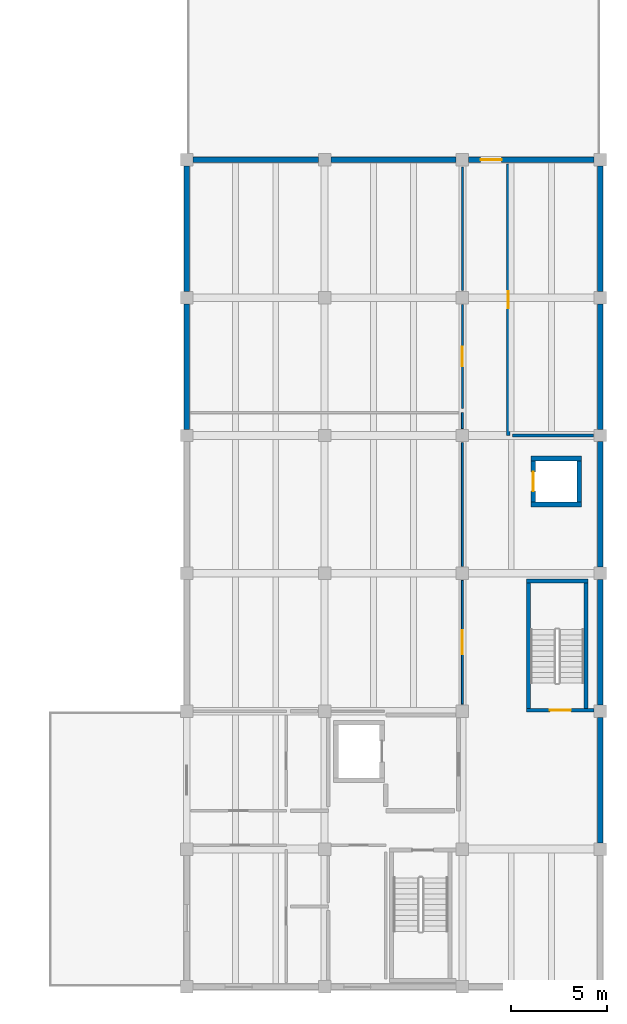
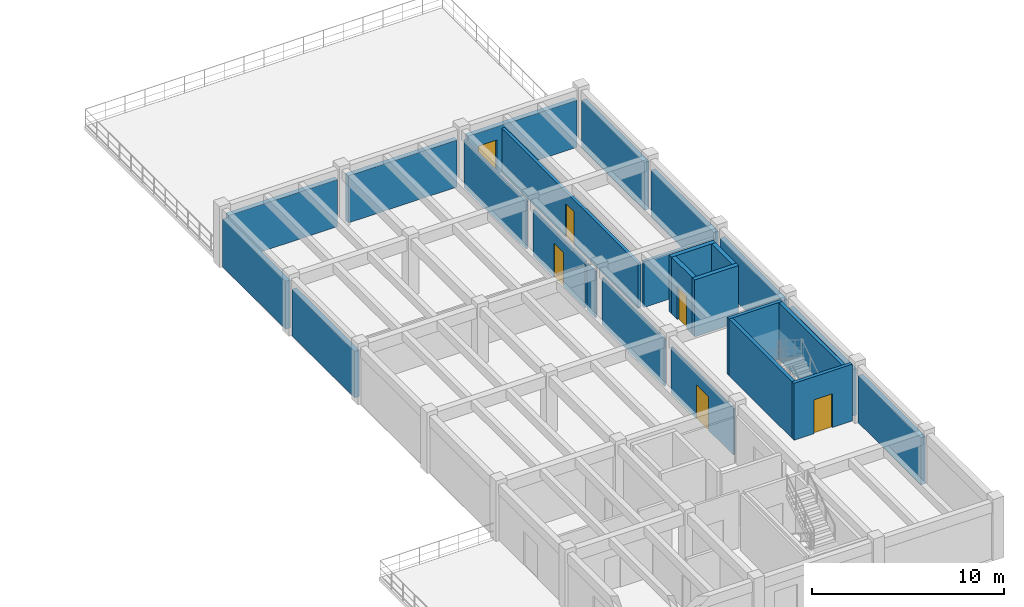
# One storey, part 9 of 13: 25 walls, 6 doors, 6 openings.
"""IFC4 building model written with IfcOpenShell, lengths in metres."""

from ifc_helpers import new_model, si_unit, direction, frame, frame_2d, origin, place, context, subcontext, project, spatial, rectangle, extrude, material, layer, layer_set, type_object, element, fill, save


model = new_model("IFC4")

# Units and contexts
model_context = context("Model", 3, precision=1e-05, world=origin(), true_north=direction((0.0, 1.0)))
body_context = subcontext(model_context, "Body", "Model", "MODEL_VIEW")
ifc_project = project(units=[si_unit("LENGTHUNIT", "METRE"), si_unit("AREAUNIT", "SQUARE_METRE"), si_unit("VOLUMEUNIT", "CUBIC_METRE"), si_unit("PLANEANGLEUNIT", "RADIAN"), si_unit("MASSUNIT", "GRAM", prefix="KILO")], contexts=[model_context])

# Site, building, storey
site_placement = place(None, origin())
site = spatial("IfcSite", under=ifc_project, at=site_placement, CompositionType="ELEMENT")
building_placement = place(site_placement, origin())
building = spatial("IfcBuilding", under=site, at=building_placement, Name="Koriwan Promenade Central Fire Station", CompositionType="ELEMENT")
storey_placement = place(building_placement, frame((0.0, 0.0, 13.5)))
storey = spatial("IfcBuildingStorey", under=building, at=storey_placement, Name="L03", CompositionType="ELEMENT", Elevation=13.5)

# Walls
ifc_material_1 = material(Name="Precast concrete C40/50", Category="concrete")
ifc_layer_1 = layer(ifc_material_1, 0.280029296875, Name="Precast concrete C40/50")
ifc_layer_set_1 = layer_set([ifc_layer_1], Name="Precast concrete C40/50")
wall_type_1 = type_object("IfcWallType", Name="ExtWall_Terracotta_280", PredefinedType="ELEMENTEDWALL", material=ifc_layer_set_1)
wall_1_placement = place(storey_placement, frame((172.800048828125, 7.52490234375, 0.0), z_axis=(0.0, 0.0, 1.0), x_axis=(0.0, 1.0, 0.0)))
element("IfcWall", 1, at=wall_1_placement, inside=storey, type_object=wall_type_1, Name="V5 L03 exterior wall 288", PredefinedType="ELEMENTEDWALL", context=body_context, shape_type="SweptSolid", body=[
    extrude(rectangle(XDim=6.550048828125, YDim=0.280029296875, at=frame_2d((3.27490234375, 0.0))), origin(), (0.0, 0.0, 1.0), 3.010009765625),
])
wall_2_placement = place(storey_placement, frame((172.800048828125, 14.72509765625, 0.0), z_axis=(0.0, 0.0, 1.0), x_axis=(0.0, 1.0, 0.0)))
element("IfcWall", 2, at=wall_2_placement, inside=storey, type_object=wall_type_1, Name="V5 L03 exterior wall 289", PredefinedType="ELEMENTEDWALL", context=body_context, shape_type="SweptSolid", body=[
    extrude(rectangle(XDim=6.5498046875, YDim=0.280029296875, at=frame_2d((3.27490234375, 0.0))), origin(), (0.0, 0.0, 1.0), 2.9599609375),
])
wall_3_placement = place(storey_placement, frame((172.800048828125, 21.925048828125, 0.0), z_axis=(0.0, 0.0, 1.0), x_axis=(0.0, 1.0, 0.0)))
element("IfcWall", 3, at=wall_3_placement, inside=storey, type_object=wall_type_1, Name="V5 L03 exterior wall 290", PredefinedType="ELEMENTEDWALL", context=body_context, shape_type="SweptSolid", body=[
    extrude(rectangle(XDim=6.550048828125, YDim=0.280029296875, at=frame_2d((3.27490234375, 0.0))), origin(), (0.0, 0.0, 1.0), 3.010009765625),
])
wall_4_placement = place(storey_placement, frame((172.800048828125, 29.125, 0.0), z_axis=(0.0, 0.0, 1.0), x_axis=(0.0, 1.0, 0.0)))
element("IfcWall", 4, at=wall_4_placement, inside=storey, type_object=wall_type_1, Name="V5 L03 exterior wall 291", PredefinedType="ELEMENTEDWALL", context=body_context, shape_type="SweptSolid", body=[
    extrude(rectangle(XDim=6.550048828125, YDim=0.280029296875, at=frame_2d((3.27490234375, 0.0))), origin(), (0.0, 0.0, 1.0), 2.9599609375),
])
wall_5_placement = place(storey_placement, frame((172.800048828125, 36.324951171875, 0.0), z_axis=(0.0, 0.0, 1.0), x_axis=(0.0, 1.0, 0.0)))
element("IfcWall", 5, at=wall_5_placement, inside=storey, type_object=wall_type_1, Name="V5 L03 exterior wall 292", PredefinedType="ELEMENTEDWALL", context=body_context, shape_type="SweptSolid", body=[
    extrude(rectangle(XDim=6.550048828125, YDim=0.280029296875, at=frame_2d((3.27490234375, 0.0))), origin(), (0.0, 0.0, 1.0), 3.050048828125),
])

# Wall, opening, door
wall_6_placement = place(storey_placement, frame((172.47509765625, 43.199951171875, 0.0), z_axis=(0.0, 0.0, 1.0), x_axis=(-1.0, 0.0, 0.0)))
wall_6 = element("IfcWall", 6, at=wall_6_placement, inside=storey, type_object=wall_type_1, Name="V5 L03 exterior wall 293", PredefinedType="ELEMENTEDWALL", context=body_context, shape_type="SweptSolid", body=[
    extrude(rectangle(XDim=6.550048828125, YDim=0.280029296875, at=frame_2d((3.27490234375, 0.0))), origin(), (0.0, 0.0, 1.0), 3.0),
])
opening_1_placement = place(wall_6_placement, frame((4.821044921875, 0.0, 0.0)))
opening_1 = element("IfcOpeningElement", 7, at=opening_1_placement, cuts=wall_6, Name="Opening TD-027", PredefinedType="OPENING", context=body_context, shape_type="SweptSolid", body=[
    extrude(rectangle(XDim=1.10009765625, YDim=2.14990234375, at=frame_2d((0.550048828125, 1.074951171875))), frame((0.0, 0.15185546875, 0.0), z_axis=(0.0, -1.0, 0.0), x_axis=(1.0, 0.0, 0.0)), (0.0, 0.0, 1.0), 0.303955078125),
])
ifc_material_2 = material(Name="Aluminium EN AW-6063-T6 and laminated safety glass", Category="aluminium")
door_type_1 = type_object("IfcDoorType", Name="TerraceDoor_1100x2150", OperationType="NOTDEFINED", PredefinedType="DOOR", material=ifc_material_2)
door_1_placement = place(opening_1_placement, frame((1.10009765625, 0.0, 0.0), z_axis=(0.0, 0.0, 1.0), x_axis=(-1.0, 0.0, 0.0)))
door_1 = element("IfcDoor", 8, at=door_1_placement, inside=storey, type_object=door_type_1, Name="V5 L03 Terrace Access Door TD-027", OperationType="SINGLE_SWING_LEFT", OverallHeight=2.14990234375, OverallWidth=1.10009765625, PredefinedType="DOOR", context=body_context, shape_type="SweptSolid", body=[
    extrude(rectangle(XDim=1.10009765625, YDim=2.14990234375, at=frame_2d((0.550048828125, 1.074951171875))), frame((0.0, 0.02490234375, 0.0), z_axis=(0.0, -1.0, 0.0), x_axis=(1.0, 0.0, 0.0)), (0.0, 0.0, 1.0), 0.050048828125),
])
fill(opening_1, door_1)

# Walls
wall_7_placement = place(storey_placement, frame((165.27490234375, 43.199951171875, 0.0), z_axis=(0.0, 0.0, 1.0), x_axis=(-1.0, 0.0, 0.0)))
element("IfcWall", 9, at=wall_7_placement, inside=storey, type_object=wall_type_1, Name="V5 L03 exterior wall 294", PredefinedType="ELEMENTEDWALL", context=body_context, shape_type="SweptSolid", body=[
    extrude(rectangle(XDim=6.5498046875, YDim=0.280029296875, at=frame_2d((3.27490234375, 0.0))), origin(), (0.0, 0.0, 1.0), 3.0),
])
wall_8_placement = place(storey_placement, frame((158.074951171875, 43.199951171875, 0.0), z_axis=(0.0, 0.0, 1.0), x_axis=(-1.0, 0.0, 0.0)))
element("IfcWall", 10, at=wall_8_placement, inside=storey, type_object=wall_type_1, Name="V5 L03 exterior wall 295", PredefinedType="ELEMENTEDWALL", context=body_context, shape_type="SweptSolid", body=[
    extrude(rectangle(XDim=6.550048828125, YDim=0.280029296875, at=frame_2d((3.27490234375, 0.0))), origin(), (0.0, 0.0, 1.0), 3.0),
])
wall_9_placement = place(storey_placement, frame((151.199951171875, 42.875, 0.0), z_axis=(0.0, 0.0, 1.0), x_axis=(0.0, -1.0, 0.0)))
element("IfcWall", 11, at=wall_9_placement, inside=storey, type_object=wall_type_1, Name="V5 L03 exterior wall 296", PredefinedType="ELEMENTEDWALL", context=body_context, shape_type="SweptSolid", body=[
    extrude(rectangle(XDim=6.550048828125, YDim=0.280029296875, at=frame_2d((3.27490234375, 0.0))), origin(), (0.0, 0.0, 1.0), 3.050048828125),
])
wall_10_placement = place(storey_placement, frame((151.199951171875, 35.675048828125, 0.0), z_axis=(0.0, 0.0, 1.0), x_axis=(0.0, -1.0, 0.0)))
element("IfcWall", 12, at=wall_10_placement, inside=storey, type_object=wall_type_1, Name="V5 L03 exterior wall 297", PredefinedType="ELEMENTEDWALL", context=body_context, shape_type="SweptSolid", body=[
    extrude(rectangle(XDim=6.550048828125, YDim=0.280029296875, at=frame_2d((3.27490234375, 0.0))), origin(), (0.0, 0.0, 1.0), 2.9599609375),
])

# Wall, opening, door
ifc_material_3 = material(Name="Gypsum board acoustic stud partition", Category="gypsum")
ifc_layer_2 = layer(ifc_material_3, 0.10009765625, Name="Gypsum board acoustic stud partition")
ifc_layer_set_2 = layer_set([ifc_layer_2], Name="Gypsum board acoustic stud partition")
wall_type_2 = type_object("IfcWallType", Name="IntWall_Drywall_100", PredefinedType="PARTITIONING", material=ifc_layer_set_2)
wall_11_placement = place(storey_placement, frame((165.60009765625, 14.764892578125, 0.0), z_axis=(0.0, 0.0, 1.0), x_axis=(0.0, 1.0, 0.0)))
wall_11 = element("IfcWall", 13, at=wall_11_placement, inside=storey, type_object=wall_type_2, Name="Radio Engineering and Telemetry Laboratory partition E", PredefinedType="PARTITIONING", context=body_context, shape_type="SweptSolid", body=[
    extrude(rectangle(XDim=6.47021484375, YDim=0.10009765625, at=frame_2d((3.235107421875, 0.0))), origin(), (0.0, 0.0, 1.0), 2.9580078125),
])
opening_2_placement = place(wall_11_placement, frame((2.610107421875, 0.0, 0.0)))
opening_2 = element("IfcOpeningElement", 14, at=opening_2_placement, cuts=wall_11, Name="Opening D-179", PredefinedType="OPENING", context=body_context, shape_type="SweptSolid", body=[
    extrude(rectangle(XDim=1.25, YDim=2.14990234375, at=frame_2d((0.625, 1.074951171875))), frame((0.0, 0.06201171875, 0.0), z_axis=(0.0, -1.0, 0.0), x_axis=(1.0, 0.0, 0.0)), (0.0, 0.0, 1.0), 0.1240234375),
])
ifc_material_4 = material(Name="Hardwood veneer solid-core timber", Category="wood")
door_type_2 = type_object("IfcDoorType", Name="RoomDoor_Lab_1250x2150", OperationType="NOTDEFINED", PredefinedType="DOOR", material=ifc_material_4)
door_2_placement = place(opening_2_placement, origin())
door_2 = element("IfcDoor", 15, at=door_2_placement, inside=storey, type_object=door_type_2, Name="Radio Engineering and Telemetry Laboratory Door D-179", OperationType="SINGLE_SWING_LEFT", OverallHeight=2.14990234375, OverallWidth=1.25, PredefinedType="DOOR", context=body_context, shape_type="SweptSolid", body=[
    extrude(rectangle(XDim=1.25, YDim=2.14990234375, at=frame_2d((0.625, 1.074951171875))), frame((0.0, 0.02490234375, 0.0), z_axis=(0.0, -1.0, 0.0), x_axis=(1.0, 0.0, 0.0)), (0.0, 0.0, 1.0), 0.050048828125),
])
fill(opening_2, door_2)

# Walls
wall_12_placement = place(storey_placement, frame((165.60009765625, 21.965087890625, 0.0), z_axis=(0.0, 0.0, 1.0), x_axis=(0.0, 1.0, 0.0)))
element("IfcWall", 16, at=wall_12_placement, inside=storey, type_object=wall_type_2, Name="Radio Engineering and Telemetry Laboratory partition E", PredefinedType="PARTITIONING", context=body_context, shape_type="SweptSolid", body=[
    extrude(rectangle(XDim=6.469970703125, YDim=0.10009765625, at=frame_2d((3.23486328125, 0.0))), origin(), (0.0, 0.0, 1.0), 3.008056640625),
])
wall_13_placement = place(storey_placement, frame((165.60009765625, 29.1650390625, 0.0), z_axis=(0.0, 0.0, 1.0), x_axis=(0.0, 1.0, 0.0)))
element("IfcWall", 17, at=wall_13_placement, inside=storey, type_object=wall_type_2, Name="Radio Engineering and Telemetry Laboratory partition E", PredefinedType="PARTITIONING", context=body_context, shape_type="SweptSolid", body=[
    extrude(rectangle(XDim=0.8349609375, YDim=0.10009765625, at=frame_2d((0.41748046875, 0.0))), origin(), (0.0, 0.0, 1.0), 2.9580078125),
])

# Wall, opening, door
ifc_layer_3 = layer(ifc_material_3, 0.1201171875, Name="Gypsum board acoustic stud partition")
ifc_layer_set_3 = layer_set([ifc_layer_3], Name="Gypsum board acoustic stud partition")
wall_type_3 = type_object("IfcWallType", Name="IntWall_Drywall_120", PredefinedType="PARTITIONING", material=ifc_layer_set_3)
wall_14_placement = place(storey_placement, frame((165.60009765625, 30.219970703125, 0.0), z_axis=(0.0, 0.0, 1.0), x_axis=(0.0, 1.0, 0.0)))
wall_14 = element("IfcWall", 18, at=wall_14_placement, inside=storey, type_object=wall_type_3, Name="Battalion Chiefs' Duty Office partition E", PredefinedType="PARTITIONING", context=body_context, shape_type="SweptSolid", body=[
    extrude(rectangle(XDim=5.4150390625, YDim=0.1201171875, at=frame_2d((2.70751953125, 0.0))), origin(), (0.0, 0.0, 1.0), 2.9580078125),
])
opening_3_placement = place(wall_14_placement, frame((2.20751953125, 0.0, 0.0)))
opening_3 = element("IfcOpeningElement", 19, at=opening_3_placement, cuts=wall_14, Name="Opening D-180", PredefinedType="OPENING", context=body_context, shape_type="SweptSolid", body=[
    extrude(rectangle(XDim=1.0, YDim=2.14990234375, at=frame_2d((0.5, 1.074951171875))), frame((0.0, 0.072021484375, 0.0), z_axis=(0.0, -1.0, 0.0), x_axis=(1.0, 0.0, 0.0)), (0.0, 0.0, 1.0), 0.14404296875),
])
door_type_3 = type_object("IfcDoorType", Name="RoomDoor_Office_1000x2150", OperationType="NOTDEFINED", PredefinedType="DOOR", material=ifc_material_4)
door_3_placement = place(opening_3_placement, origin())
door_3 = element("IfcDoor", 20, at=door_3_placement, inside=storey, type_object=door_type_3, Name="Battalion Chiefs' Duty Office Door D-180", OperationType="SINGLE_SWING_RIGHT", OverallHeight=2.14990234375, OverallWidth=1.0, PredefinedType="DOOR", context=body_context, shape_type="SweptSolid", body=[
    extrude(rectangle(XDim=1.0, YDim=2.14990234375, at=frame_2d((0.5, 1.074951171875))), frame((0.0, 0.02490234375, 0.0), z_axis=(0.0, -1.0, 0.0), x_axis=(1.0, 0.0, 0.0)), (0.0, 0.0, 1.0), 0.050048828125),
])
fill(opening_3, door_3)

# Wall
wall_15_placement = place(storey_placement, frame((165.60009765625, 36.364990234375, 0.0), z_axis=(0.0, 0.0, 1.0), x_axis=(0.0, 1.0, 0.0)))
element("IfcWall", 21, at=wall_15_placement, inside=storey, type_object=wall_type_3, Name="Battalion Chiefs' Duty Office partition E", PredefinedType="PARTITIONING", context=body_context, shape_type="SweptSolid", body=[
    extrude(rectangle(XDim=6.469970703125, YDim=0.1201171875, at=frame_2d((3.23486328125, 0.0))), origin(), (0.0, 0.0, 1.0), 3.048095703125),
])

# Wall, opening, door
ifc_material_5 = material(Name="Moisture-resistant sanitary chase wall", Category="gypsum")
ifc_layer_4 = layer(ifc_material_5, 0.179931640625, Name="Moisture-resistant sanitary chase wall")
ifc_layer_set_4 = layer_set([ifc_layer_4], Name="Moisture-resistant sanitary chase wall")
wall_type_4 = type_object("IfcWallType", Name="IntWall_Plumbing_180", PredefinedType="PLUMBINGWALL", material=ifc_layer_set_4)
wall_16_placement = place(storey_placement, frame((168.0, 28.800048828125, 0.0), z_axis=(0.0, 0.0, 1.0), x_axis=(0.0, 1.0, 0.0)))
wall_16 = element("IfcWall", 22, at=wall_16_placement, inside=storey, type_object=wall_type_4, Name="Headquarters L03 Male Female and Accessible WCs partition W", PredefinedType="PLUMBINGWALL", context=body_context, shape_type="SweptSolid", body=[
    extrude(rectangle(XDim=14.179931640625, YDim=0.179931640625, at=frame_2d((7.08984375, 0.0))), origin(), (0.0, 0.0, 1.0), 2.85791015625),
])
opening_4_placement = place(wall_16_placement, frame((6.639892578125, 0.0, 0.0)))
opening_4 = element("IfcOpeningElement", 23, at=opening_4_placement, cuts=wall_16, Name="Opening D-181", PredefinedType="OPENING", context=body_context, shape_type="SweptSolid", body=[
    extrude(rectangle(XDim=0.89990234375, YDim=2.10009765625, at=frame_2d((0.449951171875, 1.050048828125))), frame((0.0, 0.10205078125, 0.0), z_axis=(0.0, -1.0, 0.0), x_axis=(1.0, 0.0, 0.0)), (0.0, 0.0, 1.0), 0.203857421875),
])
ifc_material_6 = material(Name="High-pressure laminate moisture-resistant core", Category="wood")
door_type_4 = type_object("IfcDoorType", Name="RoomDoor_WC_900x2100", OperationType="NOTDEFINED", PredefinedType="DOOR", material=ifc_material_6)
door_4_placement = place(opening_4_placement, origin())
door_4 = element("IfcDoor", 24, at=door_4_placement, inside=storey, type_object=door_type_4, Name="Headquarters L03 Male Female and Accessible WCs Door D-181", OperationType="SINGLE_SWING_LEFT", OverallHeight=2.10009765625, OverallWidth=0.89990234375, PredefinedType="DOOR", context=body_context, shape_type="SweptSolid", body=[
    extrude(rectangle(XDim=0.89990234375, YDim=2.10009765625, at=frame_2d((0.449951171875, 1.050048828125))), frame((0.0, 0.02490234375, 0.0), z_axis=(0.0, -1.0, 0.0), x_axis=(1.0, 0.0, 0.0)), (0.0, 0.0, 1.0), 0.050048828125),
])
fill(opening_4, door_4)

# Wall
wall_17_placement = place(storey_placement, frame((168.219970703125, 28.800048828125, 0.0), z_axis=(0.0, 0.0, 1.0), x_axis=(1.0, 0.0, 0.0)))
element("IfcWall", 25, at=wall_17_placement, inside=storey, type_object=wall_type_4, Name="Headquarters L03 Male Female and Accessible WCs partition S", PredefinedType="PLUMBINGWALL", context=body_context, shape_type="SweptSolid", body=[
    extrude(rectangle(XDim=4.215087890625, YDim=0.179931640625, at=frame_2d((2.107421875, 0.0))), origin(), (0.0, 0.0, 1.0), 2.907958984375),
])

# Wall, opening, door
ifc_material_7 = material(Name="Concrete C40/50", Category="concrete")
ifc_layer_5 = layer(ifc_material_7, 0.199951171875, Name="Concrete C40/50")
ifc_layer_set_5 = layer_set([ifc_layer_5], Name="Concrete C40/50")
wall_type_5 = type_object("IfcWallType", Name="ShearWall_200", PredefinedType="SHEAR", material=ifc_layer_set_5)
wall_18_placement = place(storey_placement, frame((168.9599609375, 14.449951171875, 0.0), z_axis=(0.0, 0.0, 1.0), x_axis=(1.0, 0.0, 0.0)))
wall_18 = element("IfcWall", 26, at=wall_18_placement, inside=storey, type_object=wall_type_5, Name="ST27 L03 structural stair wall S", PredefinedType="SHEAR", context=body_context, shape_type="SweptSolid", body=[
    extrude(rectangle(XDim=3.51513671875, YDim=0.199951171875, at=frame_2d((1.757568359375, 0.0))), origin(), (0.0, 0.0, 1.0), 3.6201171875),
])
opening_5_placement = place(wall_18_placement, frame((1.20751953125, 0.0, 0.0)))
opening_5 = element("IfcOpeningElement", 27, at=opening_5_placement, cuts=wall_18, Name="Opening SD-041", PredefinedType="OPENING", context=body_context, shape_type="SweptSolid", body=[
    extrude(rectangle(XDim=1.10009765625, YDim=2.14990234375, at=frame_2d((0.550048828125, 1.074951171875))), frame((0.0, 0.11181640625, 0.0), z_axis=(0.0, -1.0, 0.0), x_axis=(1.0, 0.0, 0.0)), (0.0, 0.0, 1.0), 0.223876953125),
])
ifc_material_8 = material(Name="Painted galvanized fire-door steel", Category="steel")
door_type_5 = type_object("IfcDoorType", Name="FireDoor_Stair_1100x2150", OperationType="NOTDEFINED", PredefinedType="DOOR", material=ifc_material_8)
door_5_placement = place(opening_5_placement, origin())
door_5 = element("IfcDoor", 28, at=door_5_placement, inside=storey, type_object=door_type_5, Name="Protected Stair ST27 Fire Door SD-041", OperationType="SINGLE_SWING_RIGHT", OverallHeight=2.14990234375, OverallWidth=1.10009765625, PredefinedType="DOOR", context=body_context, shape_type="SweptSolid", body=[
    extrude(rectangle(XDim=1.10009765625, YDim=2.14990234375, at=frame_2d((0.550048828125, 1.074951171875))), frame((0.0, 0.02490234375, 0.0), z_axis=(0.0, -1.0, 0.0), x_axis=(1.0, 0.0, 0.0)), (0.0, 0.0, 1.0), 0.050048828125),
])
fill(opening_5, door_5)

# Walls
wall_19_placement = place(storey_placement, frame((168.9599609375, 21.2099609375, 0.0), z_axis=(0.0, 0.0, 1.0), x_axis=(1.0, 0.0, 0.0)))
element("IfcWall", 29, at=wall_19_placement, inside=storey, type_object=wall_type_5, Name="ST27 L03 structural stair wall N", PredefinedType="SHEAR", context=body_context, shape_type="SweptSolid", body=[
    extrude(rectangle(XDim=3.18994140625, YDim=0.199951171875, at=frame_2d((1.594970703125, 0.0))), origin(), (0.0, 0.0, 1.0), 3.6201171875),
])
for number, where, z_axis, x_axis, name in (
    (30, (169.06005859375, 14.550048828125, 0.0), (0.0, 0.0, 1.0), (0.0, 1.0, 0.0), "ST27 L03 structural stair wall W"),
    (31, (172.050048828125, 14.550048828125, 0.0), (0.0, 0.0, 1.0), (0.0, 1.0, 0.0), "ST27 L03 structural stair wall E"),
):
    element("IfcWall", number, at=place(storey_placement, frame(where, z_axis=z_axis, x_axis=x_axis)), inside=storey, type_object=wall_type_5, Name=name, PredefinedType="SHEAR", context=body_context, shape_type="SweptSolid", body=[
        extrude(rectangle(XDim=6.56005859375, YDim=0.199951171875, at=frame_2d((3.280029296875, 0.0))), origin(), (0.0, 0.0, 1.0), 3.6201171875),
    ])
ifc_layer_6 = layer(ifc_material_7, 0.25, Name="Concrete C40/50")
ifc_layer_set_6 = layer_set([ifc_layer_6], Name="Concrete C40/50")
wall_type_6 = type_object("IfcWallType", Name="ShearWall_250", PredefinedType="SHEAR", material=ifc_layer_set_6)
for number, where, z_axis, x_axis, name in (
    (32, (169.175048828125, 25.199951171875, 0.0), (0.0, 0.0, 1.0), (1.0, 0.0, 0.0), "LP01 shaft wall S (L03)"),
    (33, (169.175048828125, 27.60009765625, 0.0), (0.0, 0.0, 1.0), (1.0, 0.0, 0.0), "LP01 shaft wall N (L03)"),
):
    element("IfcWall", number, at=place(storey_placement, frame(where, z_axis=z_axis, x_axis=x_axis)), inside=storey, type_object=wall_type_6, Name=name, PredefinedType="SHEAR", context=body_context, shape_type="SweptSolid", body=[
        extrude(rectangle(XDim=2.64990234375, YDim=0.25, at=frame_2d((1.324951171875, 0.0))), origin(), (0.0, 0.0, 1.0), 3.6201171875),
    ])

# Wall, opening, door
wall_20_placement = place(storey_placement, frame((169.300048828125, 25.324951171875, 0.0), z_axis=(0.0, 0.0, 1.0), x_axis=(0.0, 1.0, 0.0)))
wall_20 = element("IfcWall", 34, at=wall_20_placement, inside=storey, type_object=wall_type_6, Name="LP01 shaft wall W (L03)", PredefinedType="SHEAR", context=body_context, shape_type="SweptSolid", body=[
    extrude(rectangle(XDim=2.150146484375, YDim=0.25, at=frame_2d((1.0751953125, 0.0))), origin(), (0.0, 0.0, 1.0), 3.6201171875),
])
opening_6_placement = place(wall_20_placement, frame((0.574951171875, 0.0, 0.0)))
opening_6 = element("IfcOpeningElement", 35, at=opening_6_placement, cuts=wall_20, Name="Opening LD-LP01-L03", PredefinedType="OPENING", context=body_context, shape_type="SweptSolid", body=[
    extrude(rectangle(XDim=1.0, YDim=2.10009765625, at=frame_2d((0.5, 1.050048828125))), frame((0.0, 0.136962890625, 0.0), z_axis=(0.0, -1.0, 0.0), x_axis=(1.0, 0.0, 0.0)), (0.0, 0.0, 1.0), 0.27392578125),
])
ifc_material_9 = material(Name="Stainless steel 316", Category="steel")
door_type_6 = type_object("IfcDoorType", Name="LiftDoor_Pass_1000x2100", OperationType="SLIDING_TO_RIGHT", PredefinedType="DOOR", material=ifc_material_9)
door_6_placement = place(opening_6_placement, origin())
door_6 = element("IfcDoor", 36, at=door_6_placement, inside=storey, type_object=door_type_6, Name="Lift LP01 Sliding Landing Door LD-LP01-L03", OperationType="SLIDING_TO_RIGHT", OverallHeight=2.10009765625, OverallWidth=1.0, PredefinedType="DOOR", context=body_context, shape_type="SweptSolid", body=[
    extrude(rectangle(XDim=1.0, YDim=2.10009765625, at=frame_2d((0.5, 1.050048828125))), frame((0.0, 0.02490234375, 0.0), z_axis=(0.0, -1.0, 0.0), x_axis=(1.0, 0.0, 0.0)), (0.0, 0.0, 1.0), 0.050048828125),
])
fill(opening_6, door_6)

# Wall
wall_21_placement = place(storey_placement, frame((171.699951171875, 25.324951171875, 0.0), z_axis=(0.0, 0.0, 1.0), x_axis=(0.0, 1.0, 0.0)))
element("IfcWall", 37, at=wall_21_placement, inside=storey, type_object=wall_type_6, Name="LP01 shaft wall E (L03)", PredefinedType="SHEAR", context=body_context, shape_type="SweptSolid", body=[
    extrude(rectangle(XDim=2.150146484375, YDim=0.25, at=frame_2d((1.0751953125, 0.0))), origin(), (0.0, 0.0, 1.0), 3.6201171875),
])

save(model, "model.ifc")
